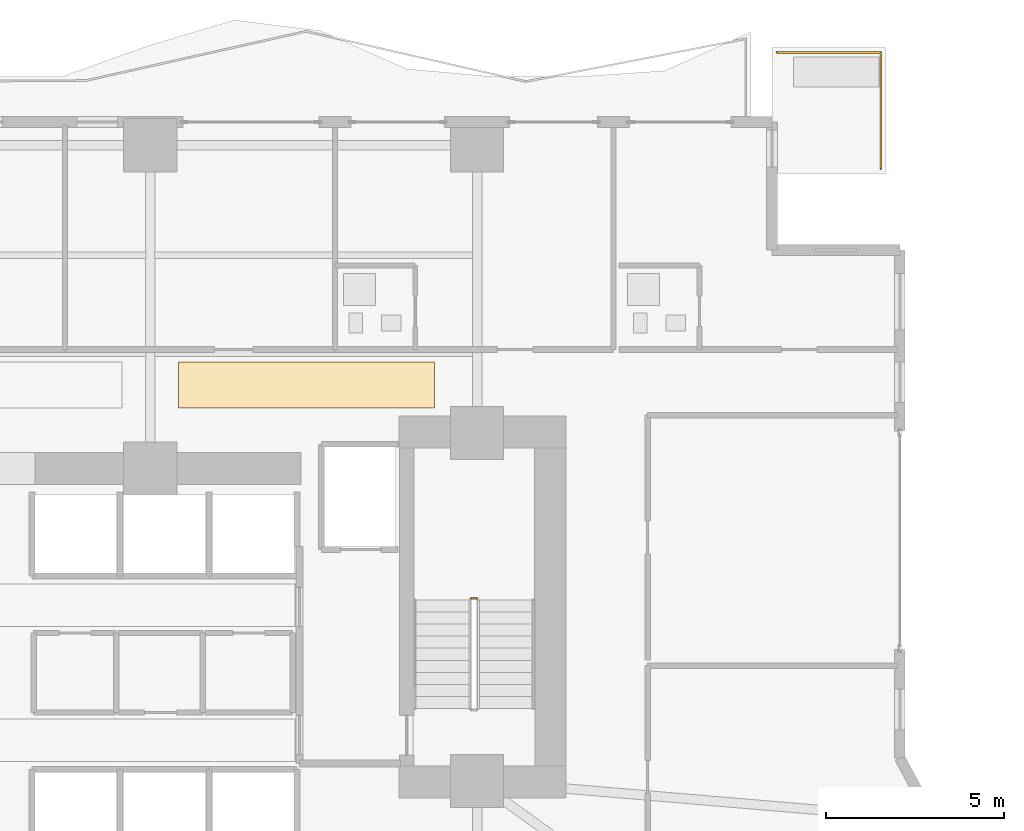
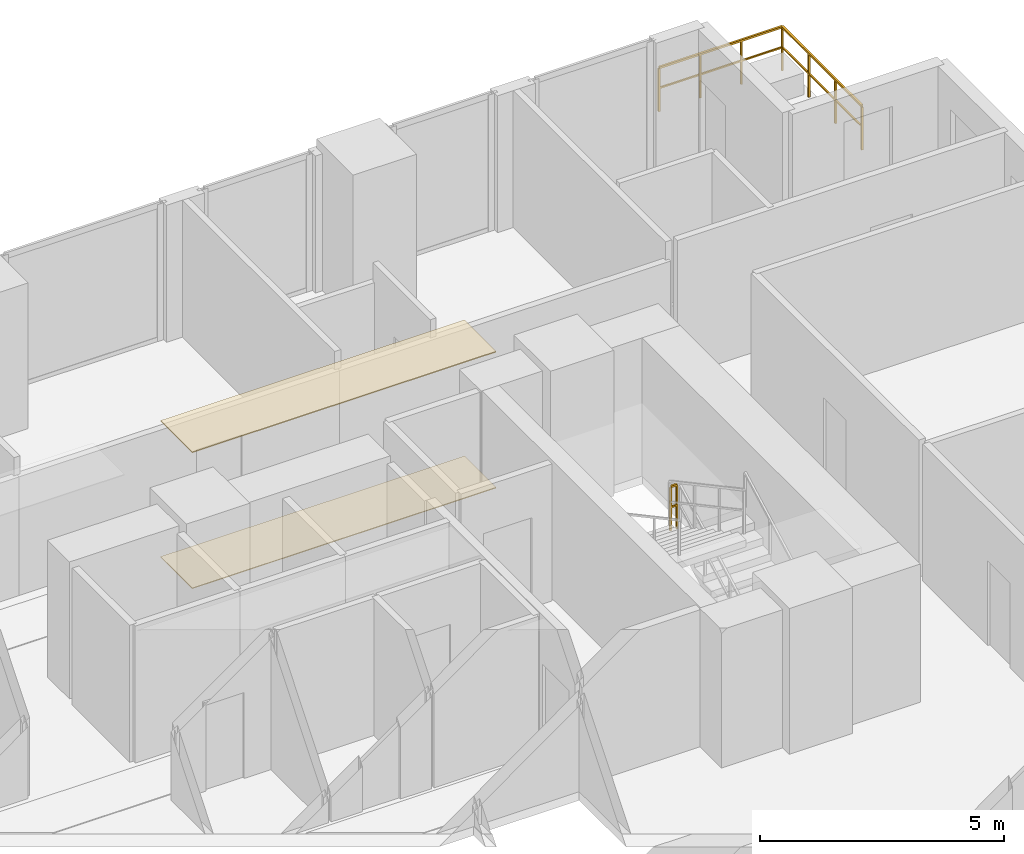
# One storey, part 27 of 28: 2 coverings, 2 railings.
"""IFC4 building model written with IfcOpenShell, lengths in metres."""

from ifc_helpers import new_model, si_unit, direction, frame, origin, origin_2d, place, context, subcontext, project, spatial, polyline, rectangle, outline, extrude, material, layer, layer_set, type_object, element, save


model = new_model("IFC4")

# Units and contexts
model_context = context("Model", 3, precision=1e-05, world=origin(), true_north=direction((0.0, 1.0)))
body_context = subcontext(model_context, "Body", "Model", "MODEL_VIEW")
ifc_project = project(units=[si_unit("LENGTHUNIT", "METRE"), si_unit("AREAUNIT", "SQUARE_METRE"), si_unit("VOLUMEUNIT", "CUBIC_METRE"), si_unit("PLANEANGLEUNIT", "RADIAN"), si_unit("MASSUNIT", "GRAM", prefix="KILO")], contexts=[model_context])

# Site, building, storey
site_placement = place(None, origin())
site = spatial("IfcSite", under=ifc_project, at=site_placement, CompositionType="ELEMENT")
building_placement = place(site_placement, origin())
building = spatial("IfcBuilding", under=site, at=building_placement, Name="Zuhayl Quay Hotel", CompositionType="ELEMENT")
storey_placement = place(building_placement, frame((0.0, 0.0, 53.14990234375)))
storey = spatial("IfcBuildingStorey", under=building, at=storey_placement, Name="L12", CompositionType="ELEMENT", Elevation=53.14990234375)

# Coverings
ifc_material_1 = material(Name="Acoustic Mineral-Fibre Gypsum Board")
ifc_layer_1 = layer(ifc_material_1, 0.02490234375, Name="Acoustic Mineral-Fibre Gypsum Board")
ifc_layer_set_1 = layer_set([ifc_layer_1], Name="Acoustic Mineral-Fibre Gypsum Board")
covering_type_1 = type_object("IfcCoveringType", Name="CV_CEIL_ACOUSTIC", PredefinedType="CEILING", material=ifc_layer_set_1)
covering_1_placement = place(storey_placement, frame((0.0, 0.0, 3.405029296875)))
element("IfcCovering", 1, at=covering_1_placement, inside=storey, type_object=covering_type_1, Name="L12 Guest Corridor Acoustic Ceiling CE", PredefinedType="CEILING", context=body_context, shape_type="SweptSolid", body=[
    extrude(outline(polyline([(5.39990234375, 15.050048828125), (12.60009765625, 15.050048828125), (12.60009765625, 16.35009765625), (5.39990234375, 16.35009765625), (5.39990234375, 15.050048828125)])), origin(), (0.0, 0.0, 1.0), 0.025146484375),
])
ifc_material_2 = material(Name="Polished Limestone Terrazzo", Category="masonry")
ifc_layer_2 = layer(ifc_material_2, 0.02001953125, Name="Polished Limestone Terrazzo", Category="masonry")
ifc_layer_set_2 = layer_set([ifc_layer_2], Name="Polished Limestone Terrazzo")
covering_type_2 = type_object("IfcCoveringType", Name="CV_FLOOR_TERRAZZO", PredefinedType="FLOORING", material=ifc_layer_set_2)
covering_2_placement = place(storey_placement, origin())
element("IfcCovering", 2, at=covering_2_placement, inside=storey, type_object=covering_type_2, Name="L12 Guest Corridor Terrazzo Runner CE", PredefinedType="FLOORING", context=body_context, shape_type="SweptSolid", body=[
    extrude(outline(polyline([(5.39990234375, 15.050048828125), (12.60009765625, 15.050048828125), (12.60009765625, 16.35009765625), (5.39990234375, 16.35009765625), (5.39990234375, 15.050048828125)])), origin(), (0.0, 0.0, 1.0), 0.02001953125),
])

# Railings
ifc_material_3 = material(Name="Anodised Aluminium and Laminated Glass", Category="aluminium")
railing_type_1 = type_object("IfcRailingType", Name="RL_EXT_BAL_1100", PredefinedType="BALUSTRADE", material=ifc_material_3)
railing_1_placement = place(storey_placement, frame((25.159912109375, 21.7900390625, 0.0)))
element("IfcRailing", 3, at=railing_1_placement, inside=storey, type_object=railing_type_1, Name="L12 Balcony and Terrace Guard GR_L12_SPIRAL_NE", PredefinedType="BALUSTRADE", context=body_context, shape_type="SweptSolid", body=[
    extrude(rectangle(XDim=0.048095703125, YDim=0.048095703125, at=origin_2d()), frame((0.0, 0.0, 1.09619140625), z_axis=(0.0, 1.0, 0.0), x_axis=(-1.0, 0.0, 0.0)), (0.0, 0.0, 1.0), 3.27001953125),
    extrude(rectangle(XDim=0.0361328125, YDim=0.0361328125, at=origin_2d()), frame((0.0, 0.0, 0.58251953125), z_axis=(0.0, 1.0, 0.0), x_axis=(-1.0, 0.0, 0.0)), (0.0, 0.0, 1.0), 3.27001953125),
    extrude(rectangle(XDim=0.048095703125, YDim=0.048095703125, at=origin_2d()), frame((0.0, 3.27001953125, 1.09619140625), z_axis=(-1.0, 0.0, 0.0), x_axis=(0.0, -1.0, 0.0)), (0.0, 0.0, 1.0), 2.919921875),
    extrude(rectangle(XDim=0.0361328125, YDim=0.0361328125, at=origin_2d()), frame((0.0, 3.27001953125, 0.58251953125), z_axis=(-1.0, 0.0, 0.0), x_axis=(0.0, -1.0, 0.0)), (0.0, 0.0, 1.0), 2.919921875),
    extrude(rectangle(XDim=0.0419921875, YDim=0.0419921875, at=origin_2d()), origin(), (0.0, 0.0, 1.0), 1.072021484375),
    extrude(rectangle(XDim=0.0419921875, YDim=0.0419921875, at=origin_2d()), frame((0.0, 1.090087890625, 0.0)), (0.0, 0.0, 1.0), 1.072021484375),
    extrude(rectangle(XDim=0.0419921875, YDim=0.0419921875, at=origin_2d()), frame((0.0, 2.179931640625, 0.0)), (0.0, 0.0, 1.0), 1.072021484375),
    extrude(rectangle(XDim=0.0419921875, YDim=0.0419921875, at=origin_2d()), frame((0.0, 3.27001953125, 0.0)), (0.0, 0.0, 1.0), 1.072021484375),
    extrude(rectangle(XDim=0.0419921875, YDim=0.0419921875, at=origin_2d()), frame((-0.973388671875, 3.27001953125, 0.0)), (0.0, 0.0, 1.0), 1.072021484375),
    extrude(rectangle(XDim=0.0419921875, YDim=0.0419921875, at=origin_2d()), frame((-1.946533203125, 3.27001953125, 0.0)), (0.0, 0.0, 1.0), 1.072021484375),
    extrude(rectangle(XDim=0.0419921875, YDim=0.0419921875, at=origin_2d()), frame((-2.919921875, 3.27001953125, 0.0)), (0.0, 0.0, 1.0), 1.072021484375),
])
ifc_material_4 = material(Name="Steel ASTM A992 Grade 50", Category="steel")
railing_type_2 = type_object("IfcRailingType", Name="RL_GUARD_1100", PredefinedType="GUARDRAIL", material=ifc_material_4)
railing_2_placement = place(storey_placement, frame((13.7900390625, 9.699951171875, 1.8251953125)))
element("IfcRailing", 4, at=railing_2_placement, inside=storey, type_object=railing_type_2, Name="L12 ST2 stair guard 2", PredefinedType="GUARDRAIL", context=body_context, shape_type="SweptSolid", body=[
    extrude(rectangle(XDim=0.048095703125, YDim=0.048095703125, at=origin_2d()), frame((0.0, 0.0, 1.09619140625), z_axis=(-1.0, 0.0, 0.0), x_axis=(0.0, -1.0, 0.0)), (0.0, 0.0, 1.0), 0.150146484375),
    extrude(rectangle(XDim=0.0361328125, YDim=0.0361328125, at=origin_2d()), frame((0.0, 0.0, 0.58251953125), z_axis=(-1.0, 0.0, 0.0), x_axis=(0.0, -1.0, 0.0)), (0.0, 0.0, 1.0), 0.150146484375),
    extrude(rectangle(XDim=0.0419921875, YDim=0.0419921875, at=origin_2d()), origin(), (0.0, 0.0, 1.0), 1.072021484375),
    extrude(rectangle(XDim=0.0419921875, YDim=0.0419921875, at=origin_2d()), frame((-0.150146484375, 0.0, 0.0)), (0.0, 0.0, 1.0), 1.072021484375),
])

save(model, "model.ifc")
